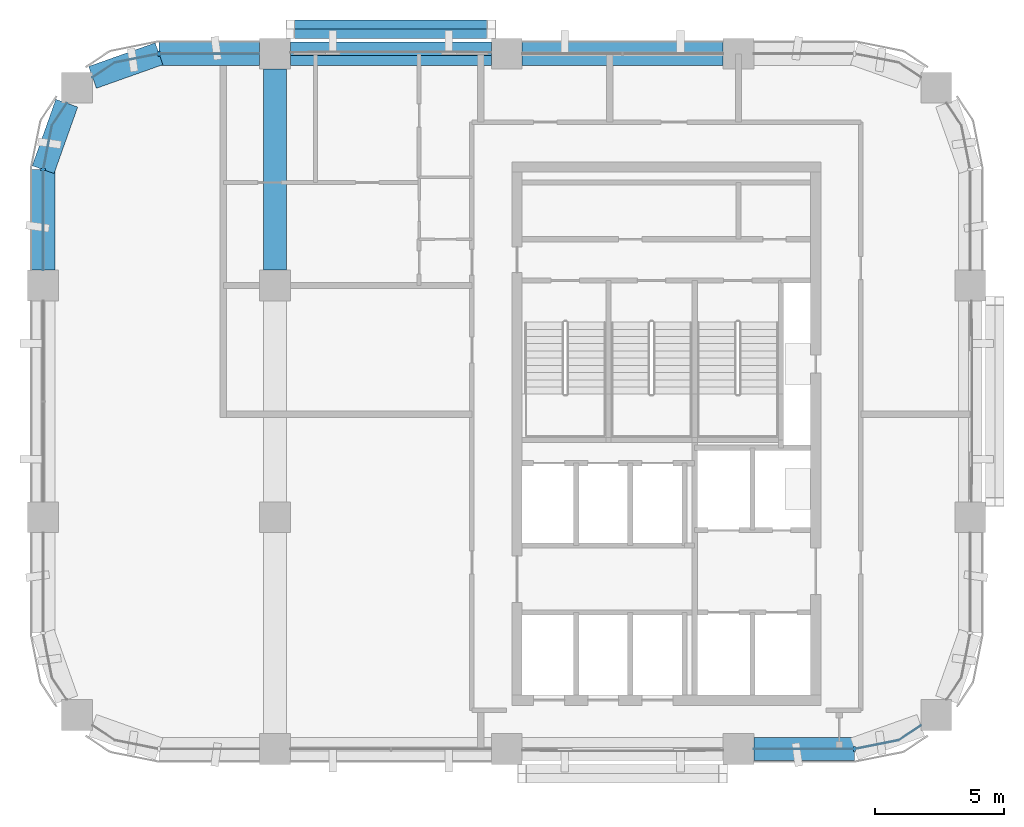
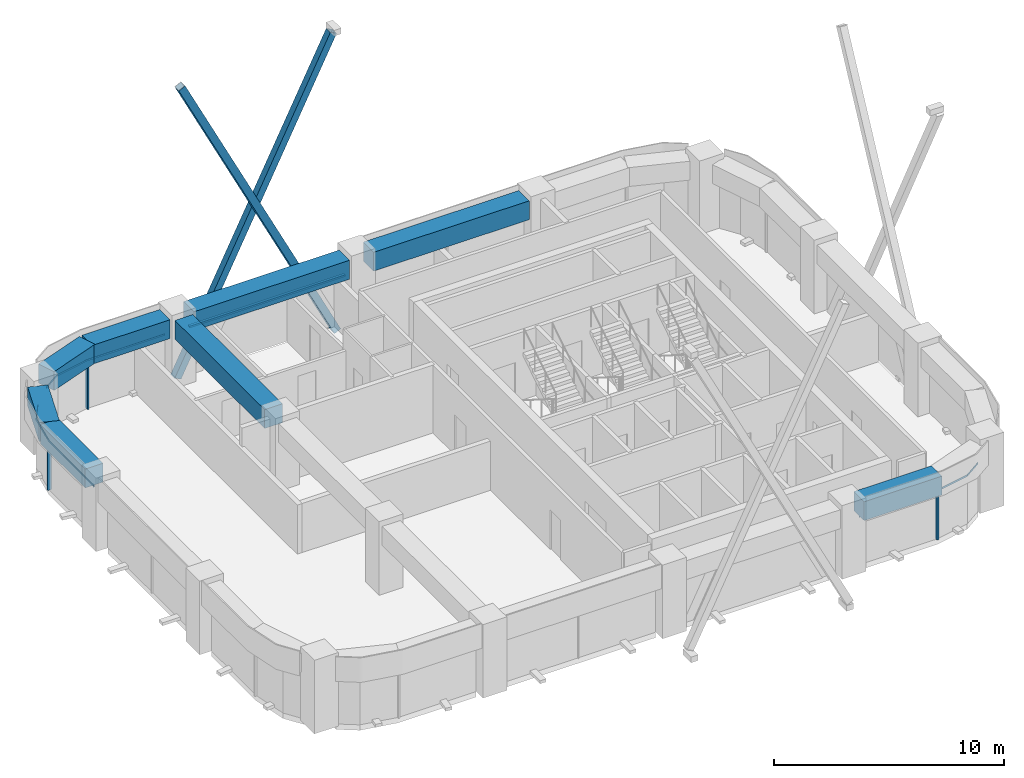
# One storey, part 3 of 10: 9 members, 8 beams, 4 elements without a shape of their own.
"""IFC4 building model written with IfcOpenShell, lengths in metres."""

from ifc_helpers import new_model, si_unit, direction, frame, origin, origin_2d, place, context, subcontext, project, spatial, polyline, rectangle, hollow_rectangle, outline, extrude, material, material_profile, profile_set, type_object, element, aggregate, save


model = new_model("IFC4")

# Units and contexts
model_context = context("Model", 3, precision=1e-05, world=origin(), true_north=direction((0.0, 1.0)))
body_context = subcontext(model_context, "Body", "Model", "MODEL_VIEW")
ifc_project = project(units=[si_unit("LENGTHUNIT", "METRE"), si_unit("AREAUNIT", "SQUARE_METRE"), si_unit("VOLUMEUNIT", "CUBIC_METRE"), si_unit("PLANEANGLEUNIT", "RADIAN"), si_unit("MASSUNIT", "GRAM", prefix="KILO")], contexts=[model_context])

# Site, building, storey
site_placement = place(None, origin())
site = spatial("IfcSite", under=ifc_project, at=site_placement, CompositionType="ELEMENT")
building_placement = place(site_placement, origin())
building = spatial("IfcBuilding", under=site, at=building_placement, Name="Tessera Arch", CompositionType="ELEMENT")
storey_placement = place(building_placement, frame((0.0, 0.0, 265.699951171875)))
storey = spatial("IfcBuildingStorey", under=building, at=storey_placement, Name="L64", CompositionType="ELEMENT", Elevation=265.699951171875)

# Members
ifc_material_1 = material(Name="Steel A500 Gr C", Category="steel")
ifc_material_profile_1 = material_profile(ifc_material_1, hollow_rectangle(XDim=0.355712890625, YDim=0.355712890625, WallThickness=0.01171875, at=origin_2d()), Name="HSS14x14x1/2")
ifc_profile_set_1 = profile_set([ifc_material_profile_1], Name="Steel A500 Gr C")
member_type_1 = type_object("IfcMemberType", Name="Brace HSS14x14x1/2 Steel A500 Gr C", PredefinedType="BRACE", material=ifc_profile_set_1)
for number, where, z_axis, x_axis, name in (
    (1, (35.39990234375, 54.77783203125, -0.800048828125), (-0.447202397208, 0.0, 0.894432790058), (0.0, -1.0, 0.0), "Brace N54.18-2 A L64-L67"),
    (2, (27.60009765625, 55.13330078125, -0.800048828125), (0.447202397208, 0.0, 0.894432790058), (0.0, 1.0, 0.0), "Brace N54.18-2 B L64-L67"),
):
    element("IfcMember", number, at=place(storey_placement, frame(where, z_axis=z_axis, x_axis=x_axis)), inside=storey, type_object=member_type_1, Name=name, PredefinedType="BRACE", context=body_context, shape_type="SweptSolid", body=[
        extrude(hollow_rectangle(XDim=0.355712890625, YDim=0.355712890625, WallThickness=0.01171875, at=origin_2d()), origin(), (0.0, 0.0, 1.0), 17.44140625),
    ])

# Curtain wall, member
ifc_material_2 = material(Name="CW2 curtain wall")
curtain_wall_type_1 = type_object("IfcCurtainWallType", Name="CW2 curtain wall", PredefinedType="NOTDEFINED", material=ifc_material_2)
curtain_wall_1_placement = place(storey_placement, origin())
curtain_wall_1 = element("IfcCurtainWall", 3, at=curtain_wall_1_placement, inside=storey, type_object=curtain_wall_type_1, Name="CW2 curtain wall N54.18/3 L64", PredefinedType="NOTDEFINED")
ifc_material_3 = material(Name="Anodised aluminium pale metal", Category="aluminium")
ifc_material_profile_2 = material_profile(ifc_material_3, rectangle(XDim=0.199951171875, YDim=0.080078125, at=origin_2d()), Name="AL 80x200")
ifc_profile_set_2 = profile_set([ifc_material_profile_2], Name="Anodised aluminium pale metal")
member_type_2 = type_object("IfcMemberType", Name="CW2 mullion", PredefinedType="MULLION", material=ifc_profile_set_2)
member_1_placement = place(storey_placement, frame((22.5, 54.0, 0.0), z_axis=(0.0, 0.0, 1.0), x_axis=(0.0, -1.0, 0.0)))
member_1 = element("IfcMember", 4, at=member_1_placement, type_object=member_type_2, Name="CW2 mullion N54.18/3 1", PredefinedType="MULLION", context=body_context, shape_type="SweptSolid", body=[
    extrude(rectangle(XDim=0.199951171875, YDim=0.080078125, at=origin_2d()), origin(), (0.0, 0.0, 1.0), 2.5),
])

curtain_wall_2_placement = place(storey_placement, origin())
curtain_wall_2 = element("IfcCurtainWall", 5, at=curtain_wall_2_placement, inside=storey, type_object=curtain_wall_type_1, Name="CW2 curtain wall W18.27/0 L64", PredefinedType="NOTDEFINED")
member_2_placement = place(storey_placement, frame((18.0, 49.5, 0.0), z_axis=(0.0, 0.0, 1.0), x_axis=(1.0, 0.0, 0.0)))
member_2 = element("IfcMember", 6, at=member_2_placement, type_object=member_type_2, Name="CW2 mullion W18.27/0 1", PredefinedType="MULLION", context=body_context, shape_type="SweptSolid", body=[
    extrude(rectangle(XDim=0.199951171875, YDim=0.080078125, at=origin_2d()), origin(), (0.0, 0.0, 1.0), 2.5),
])

curtain_wall_3_placement = place(storey_placement, origin())
curtain_wall_3 = element("IfcCurtainWall", 7, at=curtain_wall_3_placement, inside=storey, type_object=curtain_wall_type_1, Name="CW2 curtain wall S27.18/3 L64", PredefinedType="NOTDEFINED")
member_3_placement = place(storey_placement, frame((49.5, 27.0, 0.0), z_axis=(0.0, 0.0, 1.0), x_axis=(0.0, 1.0, 0.0)))
member_3 = element("IfcMember", 8, at=member_3_placement, type_object=member_type_2, Name="CW2 mullion S27.18/3 1", PredefinedType="MULLION", context=body_context, shape_type="SweptSolid", body=[
    extrude(rectangle(XDim=0.199951171875, YDim=0.080078125, at=origin_2d()), origin(), (0.0, 0.0, 1.0), 2.5),
])

# Member
ifc_material_4 = material(Name="Anodised aluminium pale metal", Category="aluminium")
ifc_material_profile_3 = material_profile(ifc_material_4, rectangle(XDim=0.199951171875, YDim=0.10009765625, at=origin_2d()), Name="AL 200x100")
ifc_profile_set_3 = profile_set([ifc_material_profile_3], Name="Anodised aluminium pale metal")
member_type_3 = type_object("IfcMemberType", Name="CW2 transom", PredefinedType="USERDEFINED", material=ifc_profile_set_3)
member_4_placement = place(storey_placement, frame((0.0, 0.0, 2.5)))
member_4 = element("IfcMember", 9, at=member_4_placement, type_object=member_type_3, Name="CW2 transom N54.18/3 1", ObjectType="TRANSOM", PredefinedType="USERDEFINED", context=body_context, shape_type="SweptSolid", body=[
    extrude(outline(polyline([(22.5009765625, 53.989990234375), (26.39990234375, 53.989990234375), (26.39990234375, 54.010009765625), (22.4990234375, 54.010009765625), (20.77392578125, 53.6669921875), (19.912353515625, 53.09130859375), (19.923583984375, 53.07470703125), (20.78173828125, 53.648193359375), (22.5009765625, 53.989990234375)])), origin(), (0.0, 0.0, 1.0), 0.10009765625),
])

aggregate(curtain_wall_1, [member_1, member_4])

member_5_placement = place(storey_placement, frame((0.0, 0.0, 2.5)))
member_5 = element("IfcMember", 10, at=member_5_placement, type_object=member_type_3, Name="CW2 transom W18.27/0 1", ObjectType="TRANSOM", PredefinedType="USERDEFINED", context=body_context, shape_type="SweptSolid", body=[
    extrude(outline(polyline([(18.351806640625, 51.21826171875), (18.92529296875, 52.076416015625), (18.90869140625, 52.087646484375), (18.3330078125, 51.22607421875), (17.989990234375, 49.5009765625), (17.989990234375, 45.60009765625), (18.010009765625, 45.60009765625), (18.010009765625, 49.4990234375), (18.351806640625, 51.21826171875)])), origin(), (0.0, 0.0, 1.0), 0.10009765625),
])

aggregate(curtain_wall_2, [member_2, member_5])

member_6_placement = place(storey_placement, frame((0.0, 0.0, 2.5)))
member_6 = element("IfcMember", 11, at=member_6_placement, type_object=member_type_3, Name="CW2 transom S27.18/3 1", ObjectType="TRANSOM", PredefinedType="USERDEFINED", context=body_context, shape_type="SweptSolid", body=[
    extrude(outline(polyline([(49.4990234375, 27.010009765625), (45.60009765625, 27.010009765625), (45.60009765625, 26.989990234375), (49.5009765625, 26.989990234375), (51.22607421875, 27.3330078125), (52.087646484375, 27.90869140625), (52.076416015625, 27.92529296875), (51.21826171875, 27.351806640625), (49.4990234375, 27.010009765625)])), origin(), (0.0, 0.0, 1.0), 0.10009765625),
])

aggregate(curtain_wall_3, [member_3, member_6])

# Curtain wall, member
ifc_material_5 = material(Name="CW3 curtain wall")
curtain_wall_type_2 = type_object("IfcCurtainWallType", Name="CW3 curtain wall", PredefinedType="NOTDEFINED", material=ifc_material_5)
curtain_wall_4_placement = place(storey_placement, origin())
curtain_wall_4 = element("IfcCurtainWall", 12, at=curtain_wall_4_placement, inside=storey, type_object=curtain_wall_type_2, Name="CW3 curtain wall N54.18/2 L64", PredefinedType="NOTDEFINED")
ifc_material_6 = material(Name="Anodised aluminium pale metal", Category="aluminium")
ifc_material_profile_4 = material_profile(ifc_material_6, rectangle(XDim=0.139892578125, YDim=0.10009765625, at=origin_2d()), Name="AL 140x100")
ifc_profile_set_4 = profile_set([ifc_material_profile_4], Name="Anodised aluminium pale metal")
member_type_4 = type_object("IfcMemberType", Name="CW3 transom", PredefinedType="USERDEFINED", material=ifc_profile_set_4)
member_7_placement = place(storey_placement, frame((35.39990234375, 54.0, 2.550048828125), z_axis=(-1.0, 0.0, 0.0), x_axis=(0.0, -1.0, 0.0)))
member_7 = element("IfcMember", 13, at=member_7_placement, type_object=member_type_4, Name="CW3 transom N54.18/2 1.1", ObjectType="TRANSOM", PredefinedType="USERDEFINED", context=body_context, shape_type="SweptSolid", body=[
    extrude(rectangle(XDim=0.139892578125, YDim=0.10009765625, at=origin_2d()), origin(), (0.0, 0.0, 1.0), 7.7998046875),
])
aggregate(curtain_wall_4, [member_7])

# Beams
ifc_material_7 = material(Name="Concrete C60/75", Category="concrete")
ifc_material_profile_5 = material_profile(ifc_material_7, rectangle(XDim=0.89990234375, YDim=1.0, at=origin_2d()), Name="RC spandrel beam 900 x 1000 Concrete C60/75")
ifc_profile_set_5 = profile_set([ifc_material_profile_5], Name="Concrete C60/75")
beam_type = type_object("IfcBeamType", Name="RC spandrel beam 900 x 1000 Concrete C60/75", PredefinedType="BEAM", material=ifc_profile_set_5)
for number, where, z_axis, x_axis, name in (
    (14, (44.39990234375, 54.0, 3.10009765625), (-1.0, 0.0, 0.0), (0.0, -1.0, 0.0), "Spandrel beam L64 N54.18/1"),
    (15, (35.39990234375, 54.0, 3.10009765625), (-1.0, 0.0, 0.0), (0.0, -1.0, 0.0), "Spandrel beam L64 N54.18/2"),
):
    element("IfcBeam", number, at=place(storey_placement, frame(where, z_axis=z_axis, x_axis=x_axis)), inside=storey, type_object=beam_type, Name=name, PredefinedType="BEAM", context=body_context, shape_type="SweptSolid", body=[
        extrude(rectangle(XDim=0.89990234375, YDim=1.0, at=origin_2d()), origin(), (0.0, 0.0, 1.0), 7.7998046875),
    ])
beam_1_placement = place(storey_placement, frame((26.39990234375, 54.0, 3.10009765625), z_axis=(-1.0, 0.0, 0.0), x_axis=(0.0, -1.0, 0.0)))
element("IfcBeam", 16, at=beam_1_placement, inside=storey, type_object=beam_type, Name="Spandrel beam L64 N54.18/3.1", PredefinedType="BEAM", context=body_context, shape_type="SweptSolid", body=[
    extrude(rectangle(XDim=0.89990234375, YDim=1.0, at=origin_2d()), origin(), (0.0, 0.0, 1.0), 3.89990234375),
])
for number, where, z_axis, x_axis, name in (
    (17, (22.5, 54.0, 3.10009765625), (-0.942337127159, -0.334665114373, 0.0), (0.334665114373, -0.942337127159, 0.0), "Spandrel beam L64 N54.18/3.2"),
    (18, (18.9169921875, 52.08203125, 3.10009765625), (-0.334665114373, -0.942337127159, 0.0), (0.942337127159, -0.334665114373, 0.0), "Spandrel beam L64 W18.27/0.1"),
):
    element("IfcBeam", number, at=place(storey_placement, frame(where, z_axis=z_axis, x_axis=x_axis)), inside=storey, type_object=beam_type, Name=name, PredefinedType="BEAM", context=body_context, shape_type="SweptSolid", body=[
        extrude(rectangle(XDim=0.89990234375, YDim=1.0, at=origin_2d()), origin(), (0.0, 0.0, 1.0), 2.739990234375),
    ])
for number, where, z_axis, x_axis, name in (
    (19, (18.0, 49.5, 3.10009765625), (0.0, -1.0, 0.0), (1.0, 0.0, 0.0), "Spandrel beam L64 W18.27/0.2"),
    (20, (45.60009765625, 27.0, 3.10009765625), (1.0, 0.0, 0.0), (0.0, 1.0, 0.0), "Spandrel beam L64 S27.18/3.1"),
):
    element("IfcBeam", number, at=place(storey_placement, frame(where, z_axis=z_axis, x_axis=x_axis)), inside=storey, type_object=beam_type, Name=name, PredefinedType="BEAM", context=body_context, shape_type="SweptSolid", body=[
        extrude(rectangle(XDim=0.89990234375, YDim=1.0, at=origin_2d()), origin(), (0.0, 0.0, 1.0), 3.89990234375),
    ])
beam_2_placement = place(storey_placement, frame((27.0, 45.60009765625, 3.10009765625), z_axis=(0.0, 1.0, 0.0), x_axis=(-1.0, 0.0, 0.0)))
element("IfcBeam", 21, at=beam_2_placement, inside=storey, type_object=beam_type, Name="Interface beam L64 I0C4F-C4G", PredefinedType="BEAM", context=body_context, shape_type="SweptSolid", body=[
    extrude(rectangle(XDim=0.89990234375, YDim=1.0, at=origin_2d()), origin(), (0.0, 0.0, 1.0), 7.7998046875),
])

save(model, "model.ifc")
